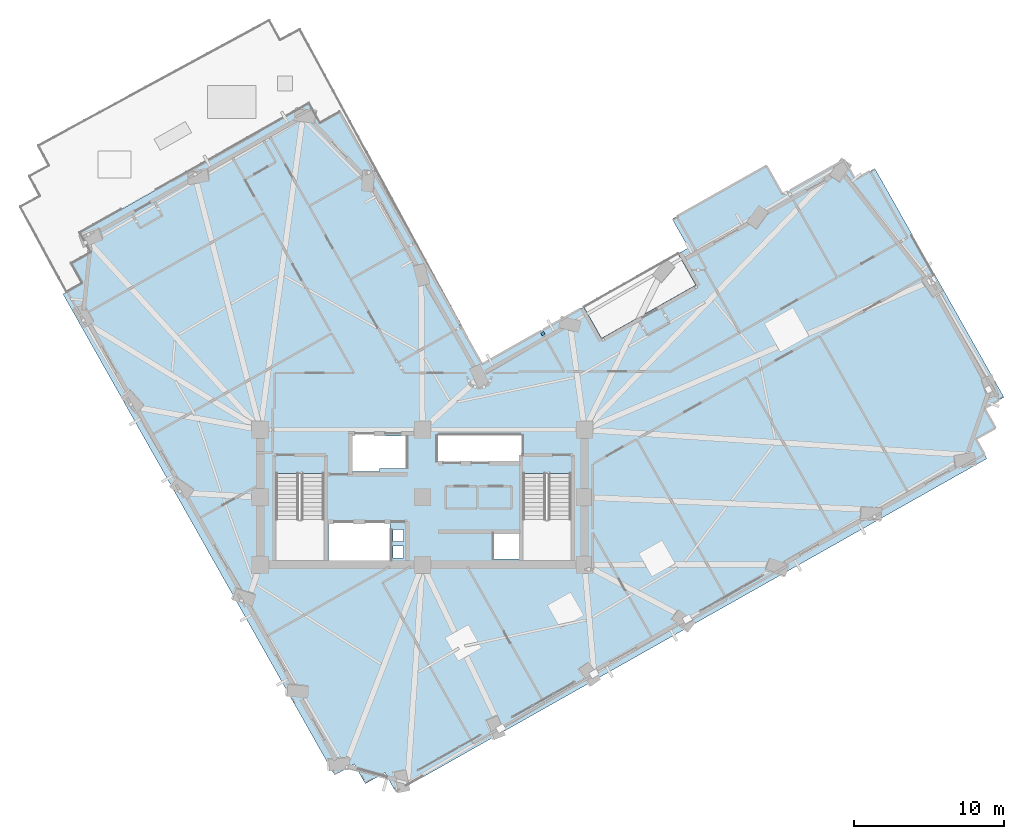
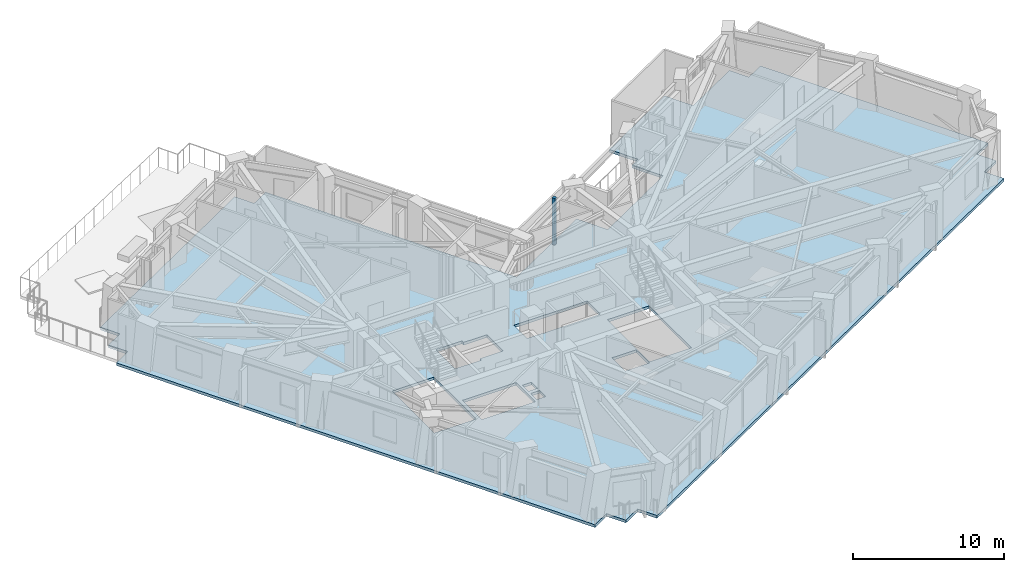
# One storey, part 7 of 18: 1 plate, 1 slab.
"""IFC4 building model written with IfcOpenShell, lengths in metres."""

from ifc_helpers import new_model, si_unit, direction, frame, origin, origin_2d, place, context, subcontext, project, spatial, polyline, rectangle, outline, extrude, material, layer, layer_set, type_object, element, save


model = new_model("IFC4")

# Units and contexts
model_context = context("Model", 3, precision=1e-05, world=origin(), true_north=direction((0.0, 1.0)))
body_context = subcontext(model_context, "Body", "Model", "MODEL_VIEW")
ifc_project = project(units=[si_unit("LENGTHUNIT", "METRE"), si_unit("AREAUNIT", "SQUARE_METRE"), si_unit("VOLUMEUNIT", "CUBIC_METRE"), si_unit("PLANEANGLEUNIT", "RADIAN"), si_unit("MASSUNIT", "GRAM", prefix="KILO")], contexts=[model_context])

# Site, building, storey
site_placement = place(None, origin())
site = spatial("IfcSite", under=ifc_project, at=site_placement, CompositionType="ELEMENT")
building_placement = place(site_placement, origin())
building = spatial("IfcBuilding", under=site, at=building_placement, Name="Gaonmaruhae Medical Tower", CompositionType="ELEMENT")
storey_placement = place(building_placement, frame((0.0, 0.0, 149.800048828125)))
storey = spatial("IfcBuildingStorey", under=building, at=storey_placement, Name="L35", CompositionType="ELEMENT", Elevation=149.800048828125)

# Slab
ifc_material_1 = material(Name="Concrete C40/50", Category="concrete")
ifc_layer_1 = layer(ifc_material_1, 0.219970703125)
ifc_layer_set_1 = layer_set([ifc_layer_1], Name="Concrete C40/50")
slab_type = type_object("IfcSlabType", Name="FS-220 Clinical Ward Composite Floor Slab", PredefinedType="FLOOR", material=ifc_layer_set_1)
slab_placement = place(storey_placement, frame((0.0, 0.0, -0.219970703125)))
element("IfcSlab", 1, at=slab_placement, inside=storey, type_object=slab_type, Name="L35 Structural Slab 1", PredefinedType="FLOOR", context=body_context, shape_type="SweptSolid", body=[
    extrude(outline(polyline([(53.626953125, 33.46630859375), (54.93310546875, 34.203857421875), (63.537109375, 18.965087890625), (62.23095703125, 18.2275390625), (62.968505859375, 16.92138671875), (61.662353515625, 16.183837890625), (62.39990234375, 14.877685546875), (23.040283203125, -7.345458984375), (22.302734375, -6.039306640625), (20.99658203125, -6.77685546875), (20.259033203125, -5.470703125), (18.952880859375, -6.2080078125), (0.859619140625, 25.8369140625), (2.166015625, 26.57421875), (1.428466796875, 27.88037109375), (2.734619140625, 28.617919921875), (1.9970703125, 29.924072265625), (17.23583984375, 38.5283203125), (17.973388671875, 37.221923828125), (19.279541015625, 37.95947265625), (28.7685546875, 21.1533203125), (35.555419921875, 24.9853515625), (36.735595703125, 22.8955078125), (43.005126953125, 26.435546875), (41.8251953125, 28.525390625), (42.521728515625, 28.918701171875), (41.440185546875, 30.83447265625), (47.709716796875, 34.37451171875), (48.79150390625, 32.458740234375), (52.889404296875, 34.7724609375), (53.626953125, 33.46630859375)]), holes=[polyline([(23.550048828125, 8.25), (22.85009765625, 8.25), (22.85009765625, 9.050048828125), (23.550048828125, 9.050048828125), (23.550048828125, 8.25)]), polyline([(31.425048828125, 9.925048828125), (31.425048828125, 8.175048828125), (29.574951171875, 8.175048828125), (29.574951171875, 9.925048828125), (31.425048828125, 9.925048828125)]), polyline([(22.64990234375, 10.625), (22.64990234375, 8.074951171875), (18.550048828125, 8.074951171875), (18.550048828125, 10.625), (22.64990234375, 10.625)]), polyline([(23.550048828125, 9.35009765625), (22.85009765625, 9.35009765625), (22.85009765625, 10.14990234375), (23.550048828125, 10.14990234375), (23.550048828125, 9.35009765625)]), polyline([(15.050048828125, 13.889892578125), (18.25, 13.889892578125), (18.25, 8.300048828125), (15.050048828125, 8.300048828125), (15.050048828125, 13.889892578125)]), polyline([(31.5, 13.889892578125), (34.699951171875, 13.889892578125), (34.699951171875, 8.300048828125), (31.5, 8.300048828125), (31.5, 13.889892578125)]), polyline([(21.949951171875, 14.22509765625), (21.949951171875, 14.02490234375), (19.949951171875, 14.02490234375), (19.949951171875, 16.574951171875), (21.949951171875, 16.574951171875), (21.949951171875, 16.375), (23.72509765625, 16.375), (23.72509765625, 14.22509765625), (21.949951171875, 14.22509765625)]), polyline([(31.425048828125, 16.425048828125), (31.425048828125, 14.675048828125), (25.824951171875, 14.675048828125), (25.824951171875, 16.425048828125), (31.425048828125, 16.425048828125)])]), origin(), (0.0, 0.0, 1.0), 0.219970703125),
])

# Plate
ifc_material_2 = material(Name="Anodised aluminium 6063-T6", Category="aluminium")
ifc_layer_2 = layer(ifc_material_2, 0.011962890625)
ifc_layer_set_2 = layer_set([ifc_layer_2], Name="Anodised aluminium 6063-T6")
plate_type = type_object("IfcPlateType", Name="PP-01 Interior Partition Corner Stiffener Plate", PredefinedType="SHEET", material=ifc_layer_set_2)
plate_placement = place(storey_placement, frame((32.8291015625, 23.196533203125, 0.0), z_axis=(0.0, 0.0, 1.0), x_axis=(0.491679042063, -0.870776503815, 0.0)))
element("IfcPlate", 2, at=plate_placement, inside=storey, type_object=plate_type, Name="L35 Partition Corner Stiffener Plate PLT-L35-JGP-PW060", PredefinedType="SHEET", context=body_context, shape_type="SweptSolid", body=[
    extrude(rectangle(XDim=0.219970703125, YDim=0.219970703125, at=origin_2d()), origin(), (0.0, 0.0, 1.0), 3.780029296875),
])

save(model, "model.ifc")
